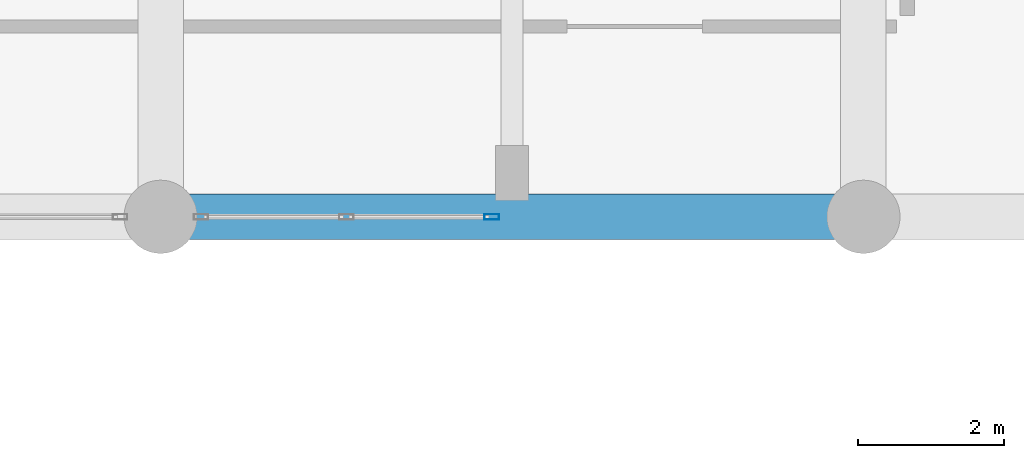
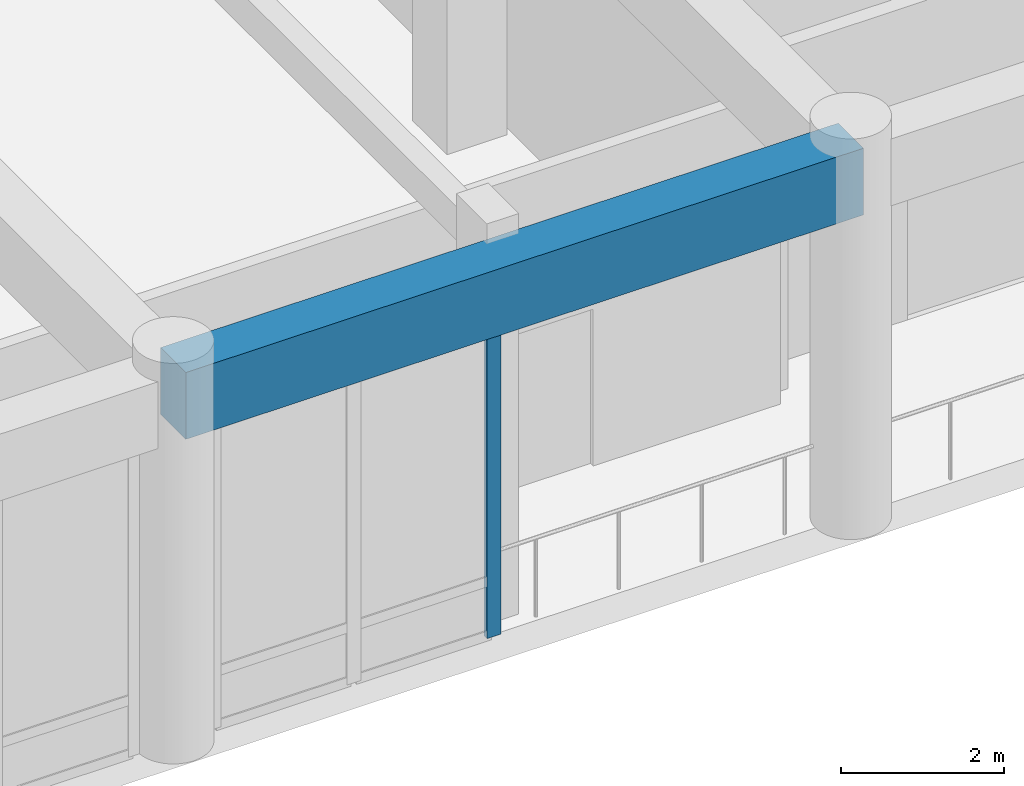
# One storey, part 33 of 87: 1 beam, 1 member, 1 element without a shape of its own.
"""IFC4 building model written with IfcOpenShell, lengths in metres."""

import ifcopenshell
import ifcopenshell.guid

model = None  # the IFC model being written
_history = None  # IfcOwnerHistory: only IFC2X3 demands one
_inside = {}  # id of a spatial element -> (the spatial element, [elements in it])
_under = {}  # id of a project, library or spatial element -> (it, [spatial elements below it])
_declared = {}  # id of a project -> (the project, [libraries it declares])
_typed = {}  # id of a type object -> (the type object, [elements of that type])
_made_of = {}  # id of a material, layer set ... -> (it, [elements and type objects made of it])


def new_model(schema):
    """Start an empty IFC model of exactly this schema.

    Asked for "IFC4X3", IfcOpenShell would pick the latest addendum, in which some entities
    have other attributes; the version numbers below select the first issue.
    IFC2X3 requires an IfcOwnerHistory on every rooted entity: one is made here for all.
    """
    global model, _history
    if schema == "IFC4X3":
        model = ifcopenshell.file(schema_version=(4, 3, 0, 0))
    else:
        model = ifcopenshell.file(schema=schema)
    _inside.clear()
    _under.clear()
    _declared.clear()
    _typed.clear()
    _made_of.clear()
    _history = None
    if model.schema == "IFC2X3":
        org = make("IfcOrganization", Name="unknown")
        user = make(
            "IfcPersonAndOrganization",
            ThePerson=make("IfcPerson", FamilyName="unknown"),
            TheOrganization=org,
        )
        app = make(
            "IfcApplication",
            ApplicationDeveloper=org,
            Version="unknown",
            ApplicationFullName="unknown",
            ApplicationIdentifier="unknown",
        )
        _history = make(
            "IfcOwnerHistory",
            OwningUser=user,
            OwningApplication=app,
            ChangeAction="ADDED",
            CreationDate=0,
        )
    return model


def make(cls, **values):
    """One entity of the class cls with the attributes given. An attribute that is None is left unset."""
    return model.create_entity(
        cls, **{name: value for name, value in values.items() if value is not None}
    )


def rooted(cls, **values):
    """An entity with a GlobalId (a new one), such as an element, a storey or a relation."""
    return make(cls, GlobalId=ifcopenshell.guid.new(), OwnerHistory=_history, **values)


def si_unit(unit_type, name, prefix=None):
    """IfcSIUnit, for example si_unit("LENGTHUNIT", "METRE", prefix="MILLI")."""
    return make("IfcSIUnit", UnitType=unit_type, Prefix=prefix, Name=name)


def assignment(units):
    """IfcUnitAssignment: the units of a project."""
    return None if units is None else make("IfcUnitAssignment", Units=units)


def point(xyz):
    """IfcCartesianPoint."""
    return None if xyz is None else make("IfcCartesianPoint", Coordinates=xyz)


def direction(xyz):
    """IfcDirection."""
    return None if xyz is None else make("IfcDirection", DirectionRatios=xyz)


def frame(location, z_axis=None, x_axis=None):
    """IfcAxis2Placement3D, a coordinate frame: its origin and axes. An axis left out is left unset."""
    return make(
        "IfcAxis2Placement3D",
        Location=point(location),
        Axis=direction(z_axis),
        RefDirection=direction(x_axis),
    )


def frame_2d(location, x_axis=None):
    """IfcAxis2Placement2D, a coordinate frame in the plane: its origin and x axis."""
    return make(
        "IfcAxis2Placement2D", Location=point(location), RefDirection=direction(x_axis)
    )


def origin():
    """The frame at (0, 0, 0) with its axes left unset."""
    return frame((0.0, 0.0, 0.0))


def origin_2d():
    """The frame at (0, 0) in the plane with its x axis left unset."""
    return frame_2d((0.0, 0.0))


def place(relative_to, where):
    """IfcLocalPlacement: puts the frame where relative to a parent placement (None: the world)."""
    return make(
        "IfcLocalPlacement", PlacementRelTo=relative_to, RelativePlacement=where
    )


def context(
    kind, dimensions, precision=None, world=None, true_north=None, identifier=None
):
    """IfcGeometricRepresentationContext, for example the 3D "Model" context."""
    return make(
        "IfcGeometricRepresentationContext",
        ContextIdentifier=identifier,
        ContextType=kind,
        CoordinateSpaceDimension=dimensions,
        Precision=precision,
        WorldCoordinateSystem=world,
        TrueNorth=true_north,
    )


def subcontext(parent, identifier, kind, view, scale=None):
    """IfcGeometricRepresentationSubContext, for example "Body" below "Model"."""
    return make(
        "IfcGeometricRepresentationSubContext",
        ContextIdentifier=identifier,
        ContextType=kind,
        ParentContext=parent,
        TargetScale=scale,
        TargetView=view,
    )


def project(units=None, contexts=None):
    """IfcProject with its units and contexts."""
    return rooted(
        "IfcProject",
        Name="project",
        RepresentationContexts=contexts,
        UnitsInContext=assignment(units),
    )


def spatial(cls, under=None, at=None, **own):
    """A site, building, storey or space (cls), placed at a placement, below another one or the project."""
    s = rooted(cls, ObjectPlacement=at, **own)
    if under is not None:
        _under.setdefault(under.id(), (under, []))[1].append(s)
    return s


def profile(cls, at=None, kind="AREA", **sizes):
    """A parametric profile (cls). Its sizes go by their IFC names, for example OverallWidth=200.0."""
    return make(cls, ProfileType=kind, Position=at, **sizes)


def rectangle(**sizes):
    """IfcRectangleProfileDef."""
    return profile("IfcRectangleProfileDef", **sizes)


def hollow_rectangle(**sizes):
    """IfcRectangleHollowProfileDef."""
    return profile("IfcRectangleHollowProfileDef", **sizes)


def extrude(swept, where, along, depth):
    """IfcExtrudedAreaSolid: the profile swept, set in the frame where, extruded along a direction by depth."""
    return make(
        "IfcExtrudedAreaSolid",
        SweptArea=swept,
        Position=where,
        ExtrudedDirection=direction(along),
        Depth=depth,
    )


def shape(context_of_items, identifier, shape_type, items):
    """IfcShapeRepresentation: the items that make up one representation, for example the "Body"."""
    return make(
        "IfcShapeRepresentation",
        ContextOfItems=context_of_items,
        RepresentationIdentifier=identifier,
        RepresentationType=shape_type,
        Items=items,
    )


def material(Name=None, Category=None):
    """IfcMaterial."""
    return make("IfcMaterial", Name=Name, Category=Category)


def layer(
    of_material, thickness, ventilated=None, Name=None, Category=None, Priority=None
):
    """IfcMaterialLayer: one layer of a wall or slab, of a material (None: an air gap)."""
    return make(
        "IfcMaterialLayer",
        Material=of_material,
        LayerThickness=thickness,
        IsVentilated=ventilated,
        Name=Name,
        Category=Category,
        Priority=Priority,
    )


def layer_set(layers, Name=None):
    """IfcMaterialLayerSet."""
    return make("IfcMaterialLayerSet", MaterialLayers=layers, LayerSetName=Name)


def material_profile(
    of_material, cross_section, Name=None, Category=None, Priority=None
):
    """IfcMaterialProfile: a cross section and its material."""
    return make(
        "IfcMaterialProfile",
        Name=Name,
        Material=of_material,
        Profile=cross_section,
        Priority=Priority,
        Category=Category,
    )


def profile_set(profiles, Name=None, composite=None):
    """IfcMaterialProfileSet."""
    return make(
        "IfcMaterialProfileSet",
        Name=Name,
        MaterialProfiles=profiles,
        CompositeProfile=composite,
    )


def made_of(thing, what):
    """Note that an element or type object is made of a material, layer set ...; save() writes the relation."""
    if what is not None:
        _made_of.setdefault(what.id(), (what, []))[1].append(thing)
    return thing


def type_object(cls, material=None, **own):
    """A type object (cls), such as IfcWallType, which elements share."""
    return made_of(rooted(cls, **own), material)


def element(
    cls,
    number,
    at=None,
    inside=None,
    cuts=None,
    type_object=None,
    material=None,
    context=None,
    identifier="Body",
    shape_type=None,
    held_by="IfcProductDefinitionShape",
    body=None,
    shapes=None,
    **own,
):
    """One element of the class cls, such as IfcWall. Its Tag is "e" and its number.

    at: its placement. inside: the storey or other place that contains it. cuts: it is an
    opening in that element (IfcRelVoidsElement). A single representation is given by context,
    identifier, shape_type and body (its items); several are given by shapes. held_by: the class
    of the entity that holds the representations. save() writes the other relations.
    """
    e = rooted(cls, Tag="e%d" % number, ObjectPlacement=at, **own)
    if body is not None:
        shapes = [shape(context, identifier, shape_type, body)]
    if shapes is not None:
        e.Representation = make(held_by, Representations=shapes)
    if inside is not None:
        _inside.setdefault(inside.id(), (inside, []))[1].append(e)
    if cuts is not None:
        rooted(
            "IfcRelVoidsElement", RelatingBuildingElement=cuts, RelatedOpeningElement=e
        )
    if type_object is not None:
        _typed.setdefault(type_object.id(), (type_object, []))[1].append(e)
    return made_of(e, material)


def aggregate(whole, parts):
    """IfcRelAggregates: a whole, such as a stair, and the parts it consists of."""
    return rooted("IfcRelAggregates", RelatingObject=whole, RelatedObjects=parts)


def save(model, path):
    """Write the relations noted so far, then the file.

    IfcRelAggregates (storeys below a building ...), IfcRelContainedInSpatialStructure (elements
    in a storey), IfcRelDefinesByType, IfcRelAssociatesMaterial and IfcRelDeclares: one each for
    every whole, place, type object, material and project.
    """
    for whole, parts in _under.values():
        aggregate(whole, parts)
    for where, things in _inside.values():
        rooted(
            "IfcRelContainedInSpatialStructure",
            RelatedElements=things,
            RelatingStructure=where,
        )
    for kind, things in _typed.values():
        rooted("IfcRelDefinesByType", RelatedObjects=things, RelatingType=kind)
    for what, things in _made_of.values():
        rooted("IfcRelAssociatesMaterial", RelatedObjects=things, RelatingMaterial=what)
    for by, libraries in _declared.values():
        rooted("IfcRelDeclares", RelatingContext=by, RelatedDefinitions=libraries)
    model.write(path)


model = new_model("IFC4")

# Units and contexts
model_context = context("Model", 3, precision=1e-05, world=origin(), true_north=direction((0.0, 1.0)))
body_context = subcontext(model_context, "Body", "Model", "MODEL_VIEW")
ifc_project = project(units=[si_unit("LENGTHUNIT", "METRE"), si_unit("AREAUNIT", "SQUARE_METRE"), si_unit("VOLUMEUNIT", "CUBIC_METRE"), si_unit("PLANEANGLEUNIT", "RADIAN"), si_unit("MASSUNIT", "GRAM", prefix="KILO")], contexts=[model_context])

# Site, building, storey
site_placement = place(None, origin())
site = spatial("IfcSite", under=ifc_project, at=site_placement, CompositionType="ELEMENT")
building_placement = place(site_placement, origin())
building = spatial("IfcBuilding", under=site, at=building_placement, Name="Nakhvara Creek Congress Hotel", CompositionType="ELEMENT")
storey_placement = place(building_placement, origin())
storey = spatial("IfcBuildingStorey", under=building, at=storey_placement, Name="L00", CompositionType="ELEMENT", Elevation=0.0)

# Beam
ifc_material_1 = material(Name="Concrete C50/60", Category="concrete")
ifc_material_profile_1 = material_profile(ifc_material_1, rectangle(XDim=0.6201171875, YDim=1.0, at=origin_2d()), Name="RC-BM 620x1000", Category="LoadBearing")
ifc_profile_set_1 = profile_set([ifc_material_profile_1], Name="Concrete C50/60")
beam_type = type_object("IfcBeamType", Name="BM-RC-620X1000", PredefinedType="BEAM", material=ifc_profile_set_1)
beam_placement = place(storey_placement, frame((105.60009765625, 76.800048828125, 5.199951171875), z_axis=(1.0, 0.0, 0.0), x_axis=(0.0, 1.0, 0.0)))
element("IfcBeam", 1, at=beam_placement, inside=storey, type_object=beam_type, Name="Beam B16-L00-0864", PredefinedType="BEAM", context=body_context, shape_type="SweptSolid", body=[
    extrude(rectangle(XDim=0.6201171875, YDim=1.0, at=origin_2d()), origin(), (0.0, 0.0, 1.0), 9.599853515625),
])

# Curtain wall, member
ifc_material_2 = material(Name="Bronze-anodised aluminium AW-6063-T6 and double-silver low-E glass", Category="aluminium")
ifc_layer = layer(ifc_material_2, 0.199951171875)
ifc_layer_set = layer_set([ifc_layer], Name="Bronze-anodised aluminium AW-6063-T6 and double-silver low-E glass")
curtain_wall_type = type_object("IfcCurtainWallType", Name="CW-POD-STICK", PredefinedType="NOTDEFINED", material=ifc_layer_set)
curtain_wall_placement = place(storey_placement, origin())
curtain_wall = element("IfcCurtainWall", 2, at=curtain_wall_placement, inside=storey, type_object=curtain_wall_type, Name="Curtain Wall CW008", PredefinedType="NOTDEFINED")
ifc_material_3 = material(Name="Bronze-anodised aluminium AW-6063-T6", Category="aluminium")
ifc_material_profile_2 = material_profile(ifc_material_3, hollow_rectangle(XDim=0.074951171875, YDim=0.199951171875, WallThickness=0.0048828125, at=origin_2d()), Name="ALU-MULL 75x200x5", Category="LoadBearing")
ifc_profile_set_2 = profile_set([ifc_material_profile_2], Name="Bronze-anodised aluminium AW-6063-T6")
member_type = type_object("IfcMemberType", Name="CW-MULL-200", PredefinedType="MULLION", material=ifc_profile_set_2)
member_placement = place(storey_placement, frame((110.12255859375, 76.800048828125, 0.0), z_axis=(0.0, 0.0, 1.0), x_axis=(0.0, -1.0, 0.0)))
member = element("IfcMember", 3, at=member_placement, type_object=member_type, Name="CW008 mullion 1", PredefinedType="MULLION", context=body_context, shape_type="SweptSolid", body=[
    extrude(hollow_rectangle(XDim=0.074951171875, YDim=0.199951171875, WallThickness=0.0048828125, at=origin_2d()), origin(), (0.0, 0.0, 1.0), 4.69189453125),
])
aggregate(curtain_wall, [member])

save(model, "model.ifc")
